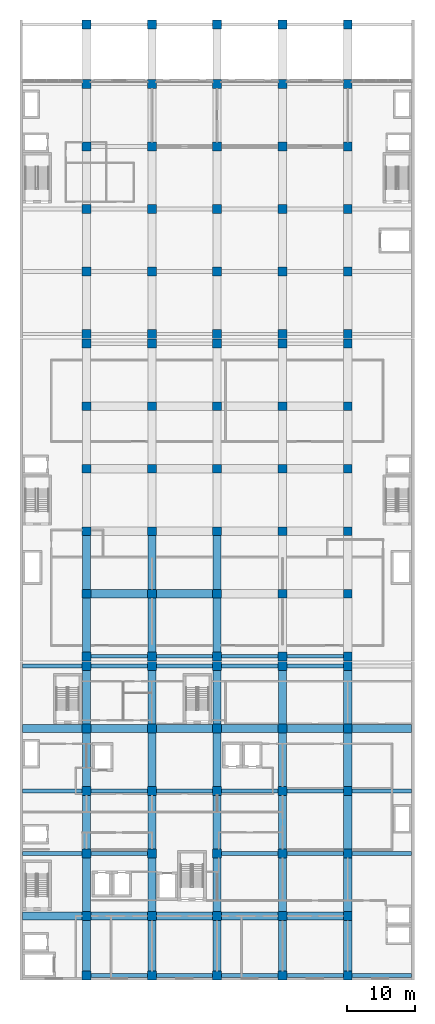
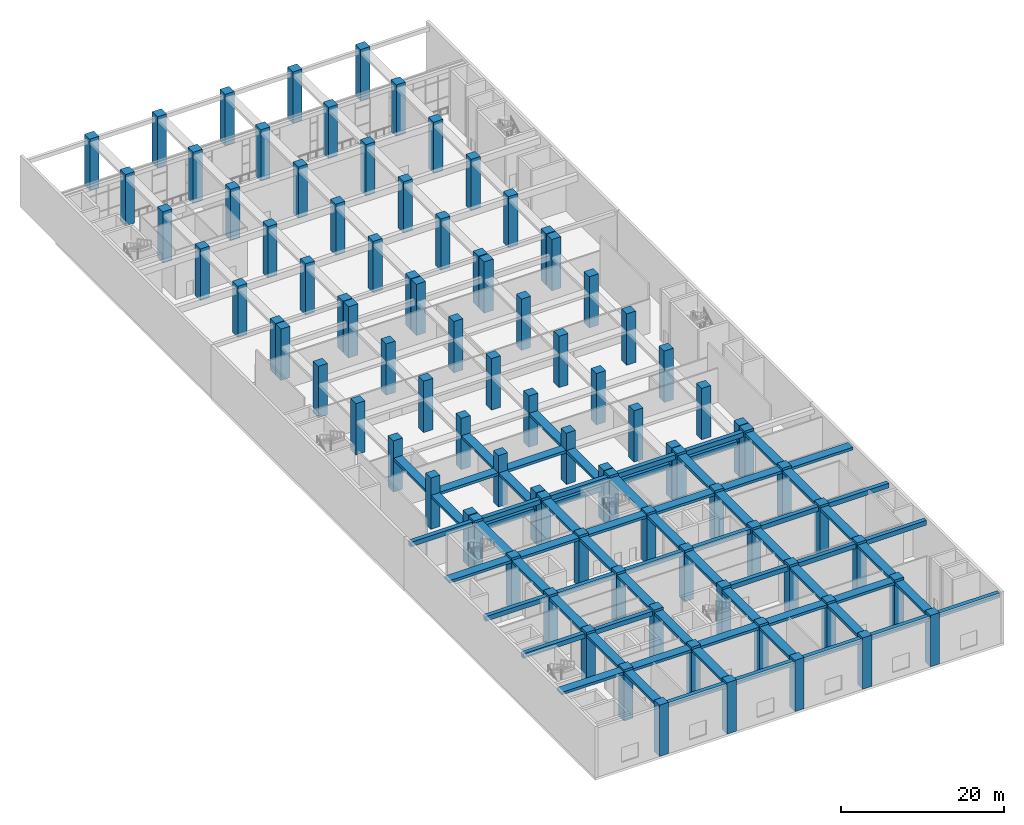
# One storey, part 1 of 33: 90 columns, 69 beams.
"""IFC4 building model written with IfcOpenShell, lengths in metres."""

from ifc_helpers import new_model, si_unit, direction, frame, origin, origin_2d, place, context, subcontext, project, spatial, rectangle, extrude, material, material_profile, profile_set, type_object, element, save


model = new_model("IFC4")

# Units and contexts
model_context = context("Model", 3, precision=1e-05, world=origin(), true_north=direction((0.0, 1.0)))
body_context = subcontext(model_context, "Body", "Model", "MODEL_VIEW")
ifc_project = project(units=[si_unit("LENGTHUNIT", "METRE"), si_unit("AREAUNIT", "SQUARE_METRE"), si_unit("VOLUMEUNIT", "CUBIC_METRE"), si_unit("PLANEANGLEUNIT", "RADIAN"), si_unit("MASSUNIT", "GRAM", prefix="KILO")], contexts=[model_context])

# Site, building, storey
site_placement = place(None, origin())
site = spatial("IfcSite", under=ifc_project, at=site_placement, CompositionType="ELEMENT")
building_placement = place(site_placement, origin())
building = spatial("IfcBuilding", under=site, at=building_placement, Name="Nzadi Deep Aquarium and Research Tower", CompositionType="ELEMENT")
storey_placement = place(building_placement, frame((0.0, 0.0, 6.5)))
storey = spatial("IfcBuildingStorey", under=building, at=storey_placement, Name="L01", CompositionType="ELEMENT", Elevation=6.5)

# Columns
ifc_material_1 = material(Name="Concrete C40/50", Category="concrete")
ifc_material_profile_1 = material_profile(ifc_material_1, rectangle(XDim=1.300048828125, YDim=1.300048828125, at=origin_2d()))
ifc_profile_set_1 = profile_set([ifc_material_profile_1], Name="Concrete C40/50")
column_type = type_object("IfcColumnType", Name="RC 1300x1300", PredefinedType="COLUMN", material=ifc_profile_set_1)
for number, where, z_axis, x_axis, name in (
    (1, (9.60009765625, 0.449951171875, 0.0), (0.0, 0.0, 1.0), (1.0, 0.0, 0.0), "C-Z1-L01-B1"),
    (2, (19.199951171875, 0.449951171875, 0.0), (0.0, 0.0, 1.0), (1.0, 0.0, 0.0), "C-Z1-L01-C1"),
    (3, (28.800048828125, 0.449951171875, 0.0), (0.0, 0.0, 1.0), (1.0, 0.0, 0.0), "C-Z1-L01-D1"),
    (4, (38.39990234375, 0.449951171875, 0.0), (0.0, 0.0, 1.0), (1.0, 0.0, 0.0), "C-Z1-L01-E1"),
    (5, (48.0, 0.449951171875, 0.0), (0.0, 0.0, 1.0), (1.0, 0.0, 0.0), "C-Z1-L01-F1"),
    (6, (9.60009765625, 9.199951171875, 0.0), (0.0, 0.0, 1.0), (1.0, 0.0, 0.0), "C-Z1-L01-B2"),
    (7, (19.199951171875, 9.199951171875, 0.0), (0.0, 0.0, 1.0), (1.0, 0.0, 0.0), "C-Z1-L01-C2"),
    (8, (28.800048828125, 9.199951171875, 0.0), (0.0, 0.0, 1.0), (1.0, 0.0, 0.0), "C-Z1-L01-D2"),
    (9, (38.39990234375, 9.199951171875, 0.0), (0.0, 0.0, 1.0), (1.0, 0.0, 0.0), "C-Z1-L01-E2"),
    (10, (48.0, 9.199951171875, 0.0), (0.0, 0.0, 1.0), (1.0, 0.0, 0.0), "C-Z1-L01-F2"),
    (11, (9.60009765625, 18.39990234375, 0.0), (0.0, 0.0, 1.0), (1.0, 0.0, 0.0), "C-Z1-L01-B3"),
    (12, (19.199951171875, 18.39990234375, 0.0), (0.0, 0.0, 1.0), (1.0, 0.0, 0.0), "C-Z1-L01-C3"),
    (13, (28.800048828125, 18.39990234375, 0.0), (0.0, 0.0, 1.0), (1.0, 0.0, 0.0), "C-Z1-L01-D3"),
    (14, (38.39990234375, 18.39990234375, 0.0), (0.0, 0.0, 1.0), (1.0, 0.0, 0.0), "C-Z1-L01-E3"),
    (15, (48.0, 18.39990234375, 0.0), (0.0, 0.0, 1.0), (1.0, 0.0, 0.0), "C-Z1-L01-F3"),
    (16, (9.60009765625, 27.60009765625, 0.0), (0.0, 0.0, 1.0), (1.0, 0.0, 0.0), "C-Z1-L01-B4"),
    (17, (19.199951171875, 27.60009765625, 0.0), (0.0, 0.0, 1.0), (1.0, 0.0, 0.0), "C-Z1-L01-C4"),
    (18, (28.800048828125, 27.60009765625, 0.0), (0.0, 0.0, 1.0), (1.0, 0.0, 0.0), "C-Z1-L01-D4"),
    (19, (38.39990234375, 27.60009765625, 0.0), (0.0, 0.0, 1.0), (1.0, 0.0, 0.0), "C-Z1-L01-E4"),
    (20, (48.0, 27.60009765625, 0.0), (0.0, 0.0, 1.0), (1.0, 0.0, 0.0), "C-Z1-L01-F4"),
    (21, (9.60009765625, 36.800048828125, 0.0), (0.0, 0.0, 1.0), (1.0, 0.0, 0.0), "C-Z1-L01-B5"),
    (22, (19.199951171875, 36.800048828125, 0.0), (0.0, 0.0, 1.0), (1.0, 0.0, 0.0), "C-Z1-L01-C5"),
    (23, (28.800048828125, 36.800048828125, 0.0), (0.0, 0.0, 1.0), (1.0, 0.0, 0.0), "C-Z1-L01-D5"),
    (24, (38.39990234375, 36.800048828125, 0.0), (0.0, 0.0, 1.0), (1.0, 0.0, 0.0), "C-Z1-L01-E5"),
    (25, (48.0, 36.800048828125, 0.0), (0.0, 0.0, 1.0), (1.0, 0.0, 0.0), "C-Z1-L01-F5"),
    (26, (9.60009765625, 46.0, 0.0), (0.0, 0.0, 1.0), (1.0, 0.0, 0.0), "C-Z1-L01-B6"),
    (27, (19.199951171875, 46.0, 0.0), (0.0, 0.0, 1.0), (1.0, 0.0, 0.0), "C-Z1-L01-C6"),
    (28, (28.800048828125, 46.0, 0.0), (0.0, 0.0, 1.0), (1.0, 0.0, 0.0), "C-Z1-L01-D6"),
    (29, (38.39990234375, 46.0, 0.0), (0.0, 0.0, 1.0), (1.0, 0.0, 0.0), "C-Z1-L01-E6"),
    (30, (48.0, 46.0, 0.0), (0.0, 0.0, 1.0), (1.0, 0.0, 0.0), "C-Z1-L01-F6"),
    (31, (9.60009765625, 47.39990234375, 0.0), (0.0, 0.0, 1.0), (1.0, 0.0, 0.0), "C-Z2-L01-B7"),
    (32, (19.199951171875, 47.39990234375, 0.0), (0.0, 0.0, 1.0), (1.0, 0.0, 0.0), "C-Z2-L01-C7"),
    (33, (28.800048828125, 47.39990234375, 0.0), (0.0, 0.0, 1.0), (1.0, 0.0, 0.0), "C-Z2-L01-D7"),
    (34, (38.39990234375, 47.39990234375, 0.0), (0.0, 0.0, 1.0), (1.0, 0.0, 0.0), "C-Z2-L01-E7"),
    (35, (48.0, 47.39990234375, 0.0), (0.0, 0.0, 1.0), (1.0, 0.0, 0.0), "C-Z2-L01-F7"),
    (36, (9.60009765625, 56.60009765625, 0.0), (0.0, 0.0, 1.0), (1.0, 0.0, 0.0), "C-Z2-L01-B8"),
    (37, (19.199951171875, 56.60009765625, 0.0), (0.0, 0.0, 1.0), (1.0, 0.0, 0.0), "C-Z2-L01-C8"),
    (38, (28.800048828125, 56.60009765625, 0.0), (0.0, 0.0, 1.0), (1.0, 0.0, 0.0), "C-Z2-L01-D8"),
    (39, (38.39990234375, 56.60009765625, 0.0), (0.0, 0.0, 1.0), (1.0, 0.0, 0.0), "C-Z2-L01-E8"),
    (40, (48.0, 56.60009765625, 0.0), (0.0, 0.0, 1.0), (1.0, 0.0, 0.0), "C-Z2-L01-F8"),
    (41, (9.60009765625, 65.800048828125, 0.0), (0.0, 0.0, 1.0), (1.0, 0.0, 0.0), "C-Z2-L01-B9"),
    (42, (19.199951171875, 65.800048828125, 0.0), (0.0, 0.0, 1.0), (1.0, 0.0, 0.0), "C-Z2-L01-C9"),
    (43, (28.800048828125, 65.800048828125, 0.0), (0.0, 0.0, 1.0), (1.0, 0.0, 0.0), "C-Z2-L01-D9"),
    (44, (38.39990234375, 65.800048828125, 0.0), (0.0, 0.0, 1.0), (1.0, 0.0, 0.0), "C-Z2-L01-E9"),
    (45, (48.0, 65.800048828125, 0.0), (0.0, 0.0, 1.0), (1.0, 0.0, 0.0), "C-Z2-L01-F9"),
    (46, (9.60009765625, 75.0, 0.0), (0.0, 0.0, 1.0), (1.0, 0.0, 0.0), "C-Z2-L01-B10"),
    (47, (19.199951171875, 75.0, 0.0), (0.0, 0.0, 1.0), (1.0, 0.0, 0.0), "C-Z2-L01-C10"),
    (48, (28.800048828125, 75.0, 0.0), (0.0, 0.0, 1.0), (1.0, 0.0, 0.0), "C-Z2-L01-D10"),
    (49, (38.39990234375, 75.0, 0.0), (0.0, 0.0, 1.0), (1.0, 0.0, 0.0), "C-Z2-L01-E10"),
    (50, (48.0, 75.0, 0.0), (0.0, 0.0, 1.0), (1.0, 0.0, 0.0), "C-Z2-L01-F10"),
    (51, (9.60009765625, 84.199951171875, 0.0), (0.0, 0.0, 1.0), (1.0, 0.0, 0.0), "C-Z2-L01-B11"),
    (52, (19.199951171875, 84.199951171875, 0.0), (0.0, 0.0, 1.0), (1.0, 0.0, 0.0), "C-Z2-L01-C11"),
    (53, (28.800048828125, 84.199951171875, 0.0), (0.0, 0.0, 1.0), (1.0, 0.0, 0.0), "C-Z2-L01-D11"),
    (54, (38.39990234375, 84.199951171875, 0.0), (0.0, 0.0, 1.0), (1.0, 0.0, 0.0), "C-Z2-L01-E11"),
    (55, (48.0, 84.199951171875, 0.0), (0.0, 0.0, 1.0), (1.0, 0.0, 0.0), "C-Z2-L01-F11"),
    (56, (9.60009765625, 93.39990234375, 0.0), (0.0, 0.0, 1.0), (1.0, 0.0, 0.0), "C-Z2-L01-B12"),
    (57, (19.199951171875, 93.39990234375, 0.0), (0.0, 0.0, 1.0), (1.0, 0.0, 0.0), "C-Z2-L01-C12"),
    (58, (28.800048828125, 93.39990234375, 0.0), (0.0, 0.0, 1.0), (1.0, 0.0, 0.0), "C-Z2-L01-D12"),
    (59, (38.39990234375, 93.39990234375, 0.0), (0.0, 0.0, 1.0), (1.0, 0.0, 0.0), "C-Z2-L01-E12"),
    (60, (48.0, 93.39990234375, 0.0), (0.0, 0.0, 1.0), (1.0, 0.0, 0.0), "C-Z2-L01-F12"),
    (61, (9.60009765625, 94.800048828125, 0.0), (0.0, 0.0, 1.0), (1.0, 0.0, 0.0), "C-Z3-L01-B13"),
    (62, (19.199951171875, 94.800048828125, 0.0), (0.0, 0.0, 1.0), (1.0, 0.0, 0.0), "C-Z3-L01-C13"),
    (63, (28.800048828125, 94.800048828125, 0.0), (0.0, 0.0, 1.0), (1.0, 0.0, 0.0), "C-Z3-L01-D13"),
    (64, (38.39990234375, 94.800048828125, 0.0), (0.0, 0.0, 1.0), (1.0, 0.0, 0.0), "C-Z3-L01-E13"),
    (65, (48.0, 94.800048828125, 0.0), (0.0, 0.0, 1.0), (1.0, 0.0, 0.0), "C-Z3-L01-F13"),
    (66, (9.60009765625, 104.0, 0.0), (0.0, 0.0, 1.0), (1.0, 0.0, 0.0), "C-Z3-L01-B14"),
    (67, (19.199951171875, 104.0, 0.0), (0.0, 0.0, 1.0), (1.0, 0.0, 0.0), "C-Z3-L01-C14"),
    (68, (28.800048828125, 104.0, 0.0), (0.0, 0.0, 1.0), (1.0, 0.0, 0.0), "C-Z3-L01-D14"),
    (69, (38.39990234375, 104.0, 0.0), (0.0, 0.0, 1.0), (1.0, 0.0, 0.0), "C-Z3-L01-E14"),
    (70, (48.0, 104.0, 0.0), (0.0, 0.0, 1.0), (1.0, 0.0, 0.0), "C-Z3-L01-F14"),
    (71, (9.60009765625, 113.199951171875, 0.0), (0.0, 0.0, 1.0), (1.0, 0.0, 0.0), "C-Z3-L01-B15"),
    (72, (19.199951171875, 113.199951171875, 0.0), (0.0, 0.0, 1.0), (1.0, 0.0, 0.0), "C-Z3-L01-C15"),
    (73, (28.800048828125, 113.199951171875, 0.0), (0.0, 0.0, 1.0), (1.0, 0.0, 0.0), "C-Z3-L01-D15"),
    (74, (38.39990234375, 113.199951171875, 0.0), (0.0, 0.0, 1.0), (1.0, 0.0, 0.0), "C-Z3-L01-E15"),
    (75, (48.0, 113.199951171875, 0.0), (0.0, 0.0, 1.0), (1.0, 0.0, 0.0), "C-Z3-L01-F15"),
    (76, (9.60009765625, 122.39990234375, 0.0), (0.0, 0.0, 1.0), (1.0, 0.0, 0.0), "C-Z3-L01-B16"),
    (77, (19.199951171875, 122.39990234375, 0.0), (0.0, 0.0, 1.0), (1.0, 0.0, 0.0), "C-Z3-L01-C16"),
    (78, (28.800048828125, 122.39990234375, 0.0), (0.0, 0.0, 1.0), (1.0, 0.0, 0.0), "C-Z3-L01-D16"),
    (79, (38.39990234375, 122.39990234375, 0.0), (0.0, 0.0, 1.0), (1.0, 0.0, 0.0), "C-Z3-L01-E16"),
    (80, (48.0, 122.39990234375, 0.0), (0.0, 0.0, 1.0), (1.0, 0.0, 0.0), "C-Z3-L01-F16"),
    (81, (9.60009765625, 131.60009765625, 0.0), (0.0, 0.0, 1.0), (1.0, 0.0, 0.0), "C-Z3-L01-B17"),
    (82, (19.199951171875, 131.60009765625, 0.0), (0.0, 0.0, 1.0), (1.0, 0.0, 0.0), "C-Z3-L01-C17"),
    (83, (28.800048828125, 131.60009765625, 0.0), (0.0, 0.0, 1.0), (1.0, 0.0, 0.0), "C-Z3-L01-D17"),
    (84, (38.39990234375, 131.60009765625, 0.0), (0.0, 0.0, 1.0), (1.0, 0.0, 0.0), "C-Z3-L01-E17"),
    (85, (48.0, 131.60009765625, 0.0), (0.0, 0.0, 1.0), (1.0, 0.0, 0.0), "C-Z3-L01-F17"),
    (86, (9.60009765625, 140.35009765625, 0.0), (0.0, 0.0, 1.0), (1.0, 0.0, 0.0), "C-Z3-L01-B18"),
    (87, (19.199951171875, 140.35009765625, 0.0), (0.0, 0.0, 1.0), (1.0, 0.0, 0.0), "C-Z3-L01-C18"),
    (88, (28.800048828125, 140.35009765625, 0.0), (0.0, 0.0, 1.0), (1.0, 0.0, 0.0), "C-Z3-L01-D18"),
    (89, (38.39990234375, 140.35009765625, 0.0), (0.0, 0.0, 1.0), (1.0, 0.0, 0.0), "C-Z3-L01-E18"),
    (90, (48.0, 140.35009765625, 0.0), (0.0, 0.0, 1.0), (1.0, 0.0, 0.0), "C-Z3-L01-F18"),
):
    element("IfcColumn", number, at=place(storey_placement, frame(where, z_axis=z_axis, x_axis=x_axis)), inside=storey, type_object=column_type, Name=name, PredefinedType="COLUMN", context=body_context, shape_type="SweptSolid", body=[
        extrude(rectangle(XDim=1.300048828125, YDim=1.300048828125, at=origin_2d()), origin(), (0.0, 0.0, 1.0), 7.699951171875),
    ])

# Beams
ifc_material_2 = material(Name="Concrete C35/45", Category="concrete")
ifc_material_profile_2 = material_profile(ifc_material_2, rectangle(XDim=1.199951171875, YDim=0.39990234375, at=origin_2d()))
ifc_profile_set_2 = profile_set([ifc_material_profile_2], Name="Concrete C35/45")
beam_type_1 = type_object("IfcBeamType", Name="RC 1200x400", PredefinedType="BEAM", material=ifc_profile_set_2)
beam_1_placement = place(storey_placement, frame((0.199951171875, 9.199951171875, 7.14990234375), z_axis=(1.0, 0.0, 0.0), x_axis=(0.0, 1.0, 0.0)))
element("IfcBeam", 91, at=beam_1_placement, inside=storey, type_object=beam_type_1, Name="B-Z1-L01-L2-1", PredefinedType="BEAM", context=body_context, shape_type="SweptSolid", body=[
    extrude(rectangle(XDim=1.199951171875, YDim=0.39990234375, at=origin_2d()), origin(), (0.0, 0.0, 1.0), 8.75),
])
beam_2_placement = place(storey_placement, frame((10.25, 9.199951171875, 7.14990234375), z_axis=(1.0, 0.0, 0.0), x_axis=(0.0, 1.0, 0.0)))
element("IfcBeam", 92, at=beam_2_placement, inside=storey, type_object=beam_type_1, Name="B-Z1-L01-L2-2", PredefinedType="BEAM", context=body_context, shape_type="SweptSolid", body=[
    extrude(rectangle(XDim=1.199951171875, YDim=0.39990234375, at=origin_2d()), origin(), (0.0, 0.0, 1.0), 8.300048828125),
])
beam_3_placement = place(storey_placement, frame((19.85009765625, 9.199951171875, 7.14990234375), z_axis=(1.0, 0.0, 0.0), x_axis=(0.0, 1.0, 0.0)))
element("IfcBeam", 93, at=beam_3_placement, inside=storey, type_object=beam_type_1, Name="B-Z1-L01-L2-3", PredefinedType="BEAM", context=body_context, shape_type="SweptSolid", body=[
    extrude(rectangle(XDim=1.199951171875, YDim=0.39990234375, at=origin_2d()), origin(), (0.0, 0.0, 1.0), 8.2998046875),
])
for number, where, z_axis, x_axis, name in (
    (94, (29.449951171875, 9.199951171875, 7.14990234375), (1.0, 0.0, 0.0), (0.0, 1.0, 0.0), "B-Z1-L01-L2-4"),
    (95, (39.050048828125, 9.199951171875, 7.14990234375), (1.0, 0.0, 0.0), (0.0, 1.0, 0.0), "B-Z1-L01-L2-5"),
):
    element("IfcBeam", number, at=place(storey_placement, frame(where, z_axis=z_axis, x_axis=x_axis)), inside=storey, type_object=beam_type_1, Name=name, PredefinedType="BEAM", context=body_context, shape_type="SweptSolid", body=[
        extrude(rectangle(XDim=1.199951171875, YDim=0.39990234375, at=origin_2d()), origin(), (0.0, 0.0, 1.0), 8.300048828125),
    ])
beam_4_placement = place(storey_placement, frame((0.199951171875, 36.800048828125, 7.14990234375), z_axis=(1.0, 0.0, 0.0), x_axis=(0.0, 1.0, 0.0)))
element("IfcBeam", 96, at=beam_4_placement, inside=storey, type_object=beam_type_1, Name="B-Z1-L01-L5-1", PredefinedType="BEAM", context=body_context, shape_type="SweptSolid", body=[
    extrude(rectangle(XDim=1.199951171875, YDim=0.39990234375, at=origin_2d()), origin(), (0.0, 0.0, 1.0), 8.75),
])
beam_5_placement = place(storey_placement, frame((10.25, 36.800048828125, 7.14990234375), z_axis=(1.0, 0.0, 0.0), x_axis=(0.0, 1.0, 0.0)))
element("IfcBeam", 97, at=beam_5_placement, inside=storey, type_object=beam_type_1, Name="B-Z1-L01-L5-2", PredefinedType="BEAM", context=body_context, shape_type="SweptSolid", body=[
    extrude(rectangle(XDim=1.199951171875, YDim=0.39990234375, at=origin_2d()), origin(), (0.0, 0.0, 1.0), 8.300048828125),
])
beam_6_placement = place(storey_placement, frame((19.85009765625, 36.800048828125, 7.14990234375), z_axis=(1.0, 0.0, 0.0), x_axis=(0.0, 1.0, 0.0)))
element("IfcBeam", 98, at=beam_6_placement, inside=storey, type_object=beam_type_1, Name="B-Z1-L01-L5-3", PredefinedType="BEAM", context=body_context, shape_type="SweptSolid", body=[
    extrude(rectangle(XDim=1.199951171875, YDim=0.39990234375, at=origin_2d()), origin(), (0.0, 0.0, 1.0), 8.2998046875),
])
for number, where, z_axis, x_axis, name in (
    (99, (29.449951171875, 36.800048828125, 7.14990234375), (1.0, 0.0, 0.0), (0.0, 1.0, 0.0), "B-Z1-L01-L5-4"),
    (100, (39.050048828125, 36.800048828125, 7.14990234375), (1.0, 0.0, 0.0), (0.0, 1.0, 0.0), "B-Z1-L01-L5-5"),
):
    element("IfcBeam", number, at=place(storey_placement, frame(where, z_axis=z_axis, x_axis=x_axis)), inside=storey, type_object=beam_type_1, Name=name, PredefinedType="BEAM", context=body_context, shape_type="SweptSolid", body=[
        extrude(rectangle(XDim=1.199951171875, YDim=0.39990234375, at=origin_2d()), origin(), (0.0, 0.0, 1.0), 8.300048828125),
    ])
beam_7_placement = place(storey_placement, frame((48.64990234375, 36.800048828125, 7.14990234375), z_axis=(1.0, 0.0, 0.0), x_axis=(0.0, 1.0, 0.0)))
element("IfcBeam", 101, at=beam_7_placement, inside=storey, type_object=beam_type_1, Name="B-Z1-L01-L5-6", PredefinedType="BEAM", context=body_context, shape_type="SweptSolid", body=[
    extrude(rectangle(XDim=1.199951171875, YDim=0.39990234375, at=origin_2d()), origin(), (0.0, 0.0, 1.0), 8.75),
])
beam_8_placement = place(storey_placement, frame((10.25, 56.60009765625, 4.89990234375), z_axis=(1.0, 0.0, 0.0), x_axis=(0.0, 1.0, 0.0)))
element("IfcBeam", 102, at=beam_8_placement, inside=storey, type_object=beam_type_1, Name="B-Z2-L01-L8-2", PredefinedType="BEAM", context=body_context, shape_type="SweptSolid", body=[
    extrude(rectangle(XDim=1.199951171875, YDim=0.39990234375, at=origin_2d()), origin(), (0.0, 0.0, 1.0), 8.300048828125),
])
beam_9_placement = place(storey_placement, frame((19.85009765625, 56.60009765625, 4.89990234375), z_axis=(1.0, 0.0, 0.0), x_axis=(0.0, 1.0, 0.0)))
element("IfcBeam", 103, at=beam_9_placement, inside=storey, type_object=beam_type_1, Name="B-Z2-L01-L8-3", PredefinedType="BEAM", context=body_context, shape_type="SweptSolid", body=[
    extrude(rectangle(XDim=1.199951171875, YDim=0.39990234375, at=origin_2d()), origin(), (0.0, 0.0, 1.0), 8.2998046875),
])
beam_10_placement = place(storey_placement, frame((9.60009765625, 1.10009765625, 7.14990234375), z_axis=(0.0, 1.0, 0.0), x_axis=(-1.0, 0.0, 0.0)))
element("IfcBeam", 104, at=beam_10_placement, inside=storey, type_object=beam_type_1, Name="B-Z1-L01-CB-1-1", PredefinedType="BEAM", context=body_context, shape_type="SweptSolid", body=[
    extrude(rectangle(XDim=1.199951171875, YDim=0.39990234375, at=origin_2d()), origin(), (0.0, 0.0, 1.0), 7.449951171875),
])
for number, where, z_axis, x_axis, name in (
    (105, (9.60009765625, 9.85009765625, 7.14990234375), (0.0, 1.0, 0.0), (-1.0, 0.0, 0.0), "B-Z1-L01-CB-2-1"),
    (106, (9.60009765625, 19.050048828125, 7.14990234375), (0.0, 1.0, 0.0), (-1.0, 0.0, 0.0), "B-Z1-L01-CB-3-1"),
    (107, (9.60009765625, 28.25, 7.14990234375), (0.0, 1.0, 0.0), (-1.0, 0.0, 0.0), "B-Z1-L01-CB-4-1"),
):
    element("IfcBeam", number, at=place(storey_placement, frame(where, z_axis=z_axis, x_axis=x_axis)), inside=storey, type_object=beam_type_1, Name=name, PredefinedType="BEAM", context=body_context, shape_type="SweptSolid", body=[
        extrude(rectangle(XDim=1.199951171875, YDim=0.39990234375, at=origin_2d()), origin(), (0.0, 0.0, 1.0), 7.89990234375),
    ])
beam_11_placement = place(storey_placement, frame((9.60009765625, 37.449951171875, 7.14990234375), z_axis=(0.0, 1.0, 0.0), x_axis=(-1.0, 0.0, 0.0)))
element("IfcBeam", 108, at=beam_11_placement, inside=storey, type_object=beam_type_1, Name="B-Z1-L01-CB-5-1", PredefinedType="BEAM", context=body_context, shape_type="SweptSolid", body=[
    extrude(rectangle(XDim=1.199951171875, YDim=0.39990234375, at=origin_2d()), origin(), (0.0, 0.0, 1.0), 7.900146484375),
])
beam_12_placement = place(storey_placement, frame((19.199951171875, 1.10009765625, 7.14990234375), z_axis=(0.0, 1.0, 0.0), x_axis=(-1.0, 0.0, 0.0)))
element("IfcBeam", 109, at=beam_12_placement, inside=storey, type_object=beam_type_1, Name="B-Z1-L01-CC-1-1", PredefinedType="BEAM", context=body_context, shape_type="SweptSolid", body=[
    extrude(rectangle(XDim=1.199951171875, YDim=0.39990234375, at=origin_2d()), origin(), (0.0, 0.0, 1.0), 7.449951171875),
])
for number, where, z_axis, x_axis, name in (
    (110, (19.199951171875, 9.85009765625, 7.14990234375), (0.0, 1.0, 0.0), (-1.0, 0.0, 0.0), "B-Z1-L01-CC-2-1"),
    (111, (19.199951171875, 19.050048828125, 7.14990234375), (0.0, 1.0, 0.0), (-1.0, 0.0, 0.0), "B-Z1-L01-CC-3-1"),
    (112, (19.199951171875, 28.25, 7.14990234375), (0.0, 1.0, 0.0), (-1.0, 0.0, 0.0), "B-Z1-L01-CC-4-1"),
):
    element("IfcBeam", number, at=place(storey_placement, frame(where, z_axis=z_axis, x_axis=x_axis)), inside=storey, type_object=beam_type_1, Name=name, PredefinedType="BEAM", context=body_context, shape_type="SweptSolid", body=[
        extrude(rectangle(XDim=1.199951171875, YDim=0.39990234375, at=origin_2d()), origin(), (0.0, 0.0, 1.0), 7.89990234375),
    ])
beam_13_placement = place(storey_placement, frame((19.199951171875, 37.449951171875, 7.14990234375), z_axis=(0.0, 1.0, 0.0), x_axis=(-1.0, 0.0, 0.0)))
element("IfcBeam", 113, at=beam_13_placement, inside=storey, type_object=beam_type_1, Name="B-Z1-L01-CC-5-1", PredefinedType="BEAM", context=body_context, shape_type="SweptSolid", body=[
    extrude(rectangle(XDim=1.199951171875, YDim=0.39990234375, at=origin_2d()), origin(), (0.0, 0.0, 1.0), 7.900146484375),
])
beam_14_placement = place(storey_placement, frame((28.800048828125, 1.10009765625, 7.14990234375), z_axis=(0.0, 1.0, 0.0), x_axis=(-1.0, 0.0, 0.0)))
element("IfcBeam", 114, at=beam_14_placement, inside=storey, type_object=beam_type_1, Name="B-Z1-L01-CD-1-1", PredefinedType="BEAM", context=body_context, shape_type="SweptSolid", body=[
    extrude(rectangle(XDim=1.199951171875, YDim=0.39990234375, at=origin_2d()), origin(), (0.0, 0.0, 1.0), 7.449951171875),
])
for number, where, z_axis, x_axis, name in (
    (115, (28.800048828125, 9.85009765625, 7.14990234375), (0.0, 1.0, 0.0), (-1.0, 0.0, 0.0), "B-Z1-L01-CD-2-1"),
    (116, (28.800048828125, 19.050048828125, 7.14990234375), (0.0, 1.0, 0.0), (-1.0, 0.0, 0.0), "B-Z1-L01-CD-3-1"),
    (117, (28.800048828125, 28.25, 7.14990234375), (0.0, 1.0, 0.0), (-1.0, 0.0, 0.0), "B-Z1-L01-CD-4-1"),
):
    element("IfcBeam", number, at=place(storey_placement, frame(where, z_axis=z_axis, x_axis=x_axis)), inside=storey, type_object=beam_type_1, Name=name, PredefinedType="BEAM", context=body_context, shape_type="SweptSolid", body=[
        extrude(rectangle(XDim=1.199951171875, YDim=0.39990234375, at=origin_2d()), origin(), (0.0, 0.0, 1.0), 7.89990234375),
    ])
beam_15_placement = place(storey_placement, frame((28.800048828125, 37.449951171875, 7.14990234375), z_axis=(0.0, 1.0, 0.0), x_axis=(-1.0, 0.0, 0.0)))
element("IfcBeam", 118, at=beam_15_placement, inside=storey, type_object=beam_type_1, Name="B-Z1-L01-CD-5-1", PredefinedType="BEAM", context=body_context, shape_type="SweptSolid", body=[
    extrude(rectangle(XDim=1.199951171875, YDim=0.39990234375, at=origin_2d()), origin(), (0.0, 0.0, 1.0), 7.900146484375),
])
beam_16_placement = place(storey_placement, frame((38.39990234375, 1.10009765625, 7.14990234375), z_axis=(0.0, 1.0, 0.0), x_axis=(-1.0, 0.0, 0.0)))
element("IfcBeam", 119, at=beam_16_placement, inside=storey, type_object=beam_type_1, Name="B-Z1-L01-CE-1-1", PredefinedType="BEAM", context=body_context, shape_type="SweptSolid", body=[
    extrude(rectangle(XDim=1.199951171875, YDim=0.39990234375, at=origin_2d()), origin(), (0.0, 0.0, 1.0), 7.449951171875),
])
for number, where, z_axis, x_axis, name in (
    (120, (38.39990234375, 9.85009765625, 7.14990234375), (0.0, 1.0, 0.0), (-1.0, 0.0, 0.0), "B-Z1-L01-CE-2-1"),
    (121, (38.39990234375, 19.050048828125, 7.14990234375), (0.0, 1.0, 0.0), (-1.0, 0.0, 0.0), "B-Z1-L01-CE-3-1"),
    (122, (38.39990234375, 28.25, 7.14990234375), (0.0, 1.0, 0.0), (-1.0, 0.0, 0.0), "B-Z1-L01-CE-4-1"),
):
    element("IfcBeam", number, at=place(storey_placement, frame(where, z_axis=z_axis, x_axis=x_axis)), inside=storey, type_object=beam_type_1, Name=name, PredefinedType="BEAM", context=body_context, shape_type="SweptSolid", body=[
        extrude(rectangle(XDim=1.199951171875, YDim=0.39990234375, at=origin_2d()), origin(), (0.0, 0.0, 1.0), 7.89990234375),
    ])
beam_17_placement = place(storey_placement, frame((38.39990234375, 37.449951171875, 7.14990234375), z_axis=(0.0, 1.0, 0.0), x_axis=(-1.0, 0.0, 0.0)))
element("IfcBeam", 123, at=beam_17_placement, inside=storey, type_object=beam_type_1, Name="B-Z1-L01-CE-5-1", PredefinedType="BEAM", context=body_context, shape_type="SweptSolid", body=[
    extrude(rectangle(XDim=1.199951171875, YDim=0.39990234375, at=origin_2d()), origin(), (0.0, 0.0, 1.0), 7.900146484375),
])
beam_18_placement = place(storey_placement, frame((48.0, 1.10009765625, 7.14990234375), z_axis=(0.0, 1.0, 0.0), x_axis=(-1.0, 0.0, 0.0)))
element("IfcBeam", 124, at=beam_18_placement, inside=storey, type_object=beam_type_1, Name="B-Z1-L01-CF-1-1", PredefinedType="BEAM", context=body_context, shape_type="SweptSolid", body=[
    extrude(rectangle(XDim=1.199951171875, YDim=0.39990234375, at=origin_2d()), origin(), (0.0, 0.0, 1.0), 7.449951171875),
])
for number, where, z_axis, x_axis, name in (
    (125, (48.0, 9.85009765625, 7.14990234375), (0.0, 1.0, 0.0), (-1.0, 0.0, 0.0), "B-Z1-L01-CF-2-1"),
    (126, (48.0, 19.050048828125, 7.14990234375), (0.0, 1.0, 0.0), (-1.0, 0.0, 0.0), "B-Z1-L01-CF-3-1"),
    (127, (48.0, 28.25, 7.14990234375), (0.0, 1.0, 0.0), (-1.0, 0.0, 0.0), "B-Z1-L01-CF-4-1"),
):
    element("IfcBeam", number, at=place(storey_placement, frame(where, z_axis=z_axis, x_axis=x_axis)), inside=storey, type_object=beam_type_1, Name=name, PredefinedType="BEAM", context=body_context, shape_type="SweptSolid", body=[
        extrude(rectangle(XDim=1.199951171875, YDim=0.39990234375, at=origin_2d()), origin(), (0.0, 0.0, 1.0), 7.89990234375),
    ])
beam_19_placement = place(storey_placement, frame((48.0, 37.449951171875, 7.14990234375), z_axis=(0.0, 1.0, 0.0), x_axis=(-1.0, 0.0, 0.0)))
element("IfcBeam", 128, at=beam_19_placement, inside=storey, type_object=beam_type_1, Name="B-Z1-L01-CF-5-1", PredefinedType="BEAM", context=body_context, shape_type="SweptSolid", body=[
    extrude(rectangle(XDim=1.199951171875, YDim=0.39990234375, at=origin_2d()), origin(), (0.0, 0.0, 1.0), 7.900146484375),
])
for number, where, z_axis, x_axis, name in (
    (129, (9.60009765625, 48.050048828125, 4.89990234375), (0.0, 1.0, 0.0), (-1.0, 0.0, 0.0), "B-Z2-L01-CB-1-7"),
    (130, (9.60009765625, 57.25, 4.89990234375), (0.0, 1.0, 0.0), (-1.0, 0.0, 0.0), "B-Z2-L01-CB-2-7"),
    (131, (19.199951171875, 48.050048828125, 4.89990234375), (0.0, 1.0, 0.0), (-1.0, 0.0, 0.0), "B-Z2-L01-CC-1-7"),
    (132, (19.199951171875, 57.25, 4.89990234375), (0.0, 1.0, 0.0), (-1.0, 0.0, 0.0), "B-Z2-L01-CC-2-7"),
    (133, (28.800048828125, 48.050048828125, 4.89990234375), (0.0, 1.0, 0.0), (-1.0, 0.0, 0.0), "B-Z2-L01-CD-1-7"),
    (134, (28.800048828125, 57.25, 4.89990234375), (0.0, 1.0, 0.0), (-1.0, 0.0, 0.0), "B-Z2-L01-CD-2-7"),
):
    element("IfcBeam", number, at=place(storey_placement, frame(where, z_axis=z_axis, x_axis=x_axis)), inside=storey, type_object=beam_type_1, Name=name, PredefinedType="BEAM", context=body_context, shape_type="SweptSolid", body=[
        extrude(rectangle(XDim=1.199951171875, YDim=0.39990234375, at=origin_2d()), origin(), (0.0, 0.0, 1.0), 7.89990234375),
    ])
ifc_material_3 = material(Name="Concrete C40/50", Category="concrete")
ifc_material_profile_3 = material_profile(ifc_material_3, rectangle(XDim=0.5, YDim=0.800048828125, at=origin_2d()))
ifc_profile_set_3 = profile_set([ifc_material_profile_3], Name="Concrete C40/50")
beam_type_2 = type_object("IfcBeamType", Name="RC 500x800", PredefinedType="BEAM", material=ifc_profile_set_3)
beam_20_placement = place(storey_placement, frame((10.25, 47.39990234375, 4.699951171875), z_axis=(1.0, 0.0, 0.0), x_axis=(0.0, 1.0, 0.0)))
element("IfcBeam", 135, at=beam_20_placement, inside=storey, type_object=beam_type_2, Name="B-Z2-L01-L7-2", PredefinedType="BEAM", context=body_context, shape_type="SweptSolid", body=[
    extrude(rectangle(XDim=0.5, YDim=0.800048828125, at=origin_2d()), origin(), (0.0, 0.0, 1.0), 8.300048828125),
])
beam_21_placement = place(storey_placement, frame((19.85009765625, 47.39990234375, 4.699951171875), z_axis=(1.0, 0.0, 0.0), x_axis=(0.0, 1.0, 0.0)))
element("IfcBeam", 136, at=beam_21_placement, inside=storey, type_object=beam_type_2, Name="B-Z2-L01-L7-3", PredefinedType="BEAM", context=body_context, shape_type="SweptSolid", body=[
    extrude(rectangle(XDim=0.5, YDim=0.800048828125, at=origin_2d()), origin(), (0.0, 0.0, 1.0), 8.2998046875),
])
for number, where, z_axis, x_axis, name in (
    (137, (29.449951171875, 47.39990234375, 4.699951171875), (1.0, 0.0, 0.0), (0.0, 1.0, 0.0), "B-Z2-L01-L7-4"),
    (138, (39.050048828125, 47.39990234375, 4.699951171875), (1.0, 0.0, 0.0), (0.0, 1.0, 0.0), "B-Z2-L01-L7-5"),
):
    element("IfcBeam", number, at=place(storey_placement, frame(where, z_axis=z_axis, x_axis=x_axis)), inside=storey, type_object=beam_type_2, Name=name, PredefinedType="BEAM", context=body_context, shape_type="SweptSolid", body=[
        extrude(rectangle(XDim=0.5, YDim=0.800048828125, at=origin_2d()), origin(), (0.0, 0.0, 1.0), 8.300048828125),
    ])
ifc_material_4 = material(Name="Concrete C35/45", Category="concrete")
ifc_material_profile_4 = material_profile(ifc_material_4, rectangle(XDim=0.60009765625, YDim=0.699951171875, at=origin_2d()))
ifc_profile_set_4 = profile_set([ifc_material_profile_4], Name="Concrete C35/45")
beam_type_3 = type_object("IfcBeamType", Name="RC 600x700", PredefinedType="BEAM", material=ifc_profile_set_4)
beam_22_placement = place(storey_placement, frame((10.25, 0.449951171875, 7.0), z_axis=(1.0, 0.0, 0.0), x_axis=(0.0, 1.0, 0.0)))
element("IfcBeam", 139, at=beam_22_placement, inside=storey, type_object=beam_type_3, Name="B-Z1-L01-L1-2", PredefinedType="BEAM", context=body_context, shape_type="SweptSolid", body=[
    extrude(rectangle(XDim=0.60009765625, YDim=0.699951171875, at=origin_2d()), origin(), (0.0, 0.0, 1.0), 8.300048828125),
])
beam_23_placement = place(storey_placement, frame((19.85009765625, 0.449951171875, 7.0), z_axis=(1.0, 0.0, 0.0), x_axis=(0.0, 1.0, 0.0)))
element("IfcBeam", 140, at=beam_23_placement, inside=storey, type_object=beam_type_3, Name="B-Z1-L01-L1-3", PredefinedType="BEAM", context=body_context, shape_type="SweptSolid", body=[
    extrude(rectangle(XDim=0.60009765625, YDim=0.699951171875, at=origin_2d()), origin(), (0.0, 0.0, 1.0), 8.2998046875),
])
for number, where, z_axis, x_axis, name in (
    (141, (29.449951171875, 0.449951171875, 7.0), (1.0, 0.0, 0.0), (0.0, 1.0, 0.0), "B-Z1-L01-L1-4"),
    (142, (39.050048828125, 0.449951171875, 7.0), (1.0, 0.0, 0.0), (0.0, 1.0, 0.0), "B-Z1-L01-L1-5"),
):
    element("IfcBeam", number, at=place(storey_placement, frame(where, z_axis=z_axis, x_axis=x_axis)), inside=storey, type_object=beam_type_3, Name=name, PredefinedType="BEAM", context=body_context, shape_type="SweptSolid", body=[
        extrude(rectangle(XDim=0.60009765625, YDim=0.699951171875, at=origin_2d()), origin(), (0.0, 0.0, 1.0), 8.300048828125),
    ])
for number, where, z_axis, x_axis, name in (
    (143, (48.64990234375, 0.449951171875, 7.0), (1.0, 0.0, 0.0), (0.0, 1.0, 0.0), "B-Z1-L01-L1-6"),
    (144, (0.199951171875, 18.39990234375, 7.0), (1.0, 0.0, 0.0), (0.0, 1.0, 0.0), "B-Z1-L01-L3-1"),
):
    element("IfcBeam", number, at=place(storey_placement, frame(where, z_axis=z_axis, x_axis=x_axis)), inside=storey, type_object=beam_type_3, Name=name, PredefinedType="BEAM", context=body_context, shape_type="SweptSolid", body=[
        extrude(rectangle(XDim=0.60009765625, YDim=0.699951171875, at=origin_2d()), origin(), (0.0, 0.0, 1.0), 8.75),
    ])
for number, where, z_axis, x_axis, name in (
    (145, (10.25, 18.39990234375, 7.0), (1.0, 0.0, 0.0), (0.0, 1.0, 0.0), "B-Z1-L01-L3-2"),
    (146, (29.449951171875, 18.39990234375, 7.0), (1.0, 0.0, 0.0), (0.0, 1.0, 0.0), "B-Z1-L01-L3-4"),
    (147, (39.050048828125, 18.39990234375, 7.0), (1.0, 0.0, 0.0), (0.0, 1.0, 0.0), "B-Z1-L01-L3-5"),
):
    element("IfcBeam", number, at=place(storey_placement, frame(where, z_axis=z_axis, x_axis=x_axis)), inside=storey, type_object=beam_type_3, Name=name, PredefinedType="BEAM", context=body_context, shape_type="SweptSolid", body=[
        extrude(rectangle(XDim=0.60009765625, YDim=0.699951171875, at=origin_2d()), origin(), (0.0, 0.0, 1.0), 8.300048828125),
    ])
for number, where, z_axis, x_axis, name in (
    (148, (48.64990234375, 18.39990234375, 7.0), (1.0, 0.0, 0.0), (0.0, 1.0, 0.0), "B-Z1-L01-L3-6"),
    (149, (0.199951171875, 27.60009765625, 7.0), (1.0, 0.0, 0.0), (0.0, 1.0, 0.0), "B-Z1-L01-L4-1"),
):
    element("IfcBeam", number, at=place(storey_placement, frame(where, z_axis=z_axis, x_axis=x_axis)), inside=storey, type_object=beam_type_3, Name=name, PredefinedType="BEAM", context=body_context, shape_type="SweptSolid", body=[
        extrude(rectangle(XDim=0.60009765625, YDim=0.699951171875, at=origin_2d()), origin(), (0.0, 0.0, 1.0), 8.75),
    ])
beam_24_placement = place(storey_placement, frame((10.25, 27.60009765625, 7.0), z_axis=(1.0, 0.0, 0.0), x_axis=(0.0, 1.0, 0.0)))
element("IfcBeam", 150, at=beam_24_placement, inside=storey, type_object=beam_type_3, Name="B-Z1-L01-L4-2", PredefinedType="BEAM", context=body_context, shape_type="SweptSolid", body=[
    extrude(rectangle(XDim=0.60009765625, YDim=0.699951171875, at=origin_2d()), origin(), (0.0, 0.0, 1.0), 8.300048828125),
])
beam_25_placement = place(storey_placement, frame((19.85009765625, 27.60009765625, 7.0), z_axis=(1.0, 0.0, 0.0), x_axis=(0.0, 1.0, 0.0)))
element("IfcBeam", 151, at=beam_25_placement, inside=storey, type_object=beam_type_3, Name="B-Z1-L01-L4-3", PredefinedType="BEAM", context=body_context, shape_type="SweptSolid", body=[
    extrude(rectangle(XDim=0.60009765625, YDim=0.699951171875, at=origin_2d()), origin(), (0.0, 0.0, 1.0), 8.2998046875),
])
for number, where, z_axis, x_axis, name in (
    (152, (29.449951171875, 27.60009765625, 7.0), (1.0, 0.0, 0.0), (0.0, 1.0, 0.0), "B-Z1-L01-L4-4"),
    (153, (39.050048828125, 27.60009765625, 7.0), (1.0, 0.0, 0.0), (0.0, 1.0, 0.0), "B-Z1-L01-L4-5"),
):
    element("IfcBeam", number, at=place(storey_placement, frame(where, z_axis=z_axis, x_axis=x_axis)), inside=storey, type_object=beam_type_3, Name=name, PredefinedType="BEAM", context=body_context, shape_type="SweptSolid", body=[
        extrude(rectangle(XDim=0.60009765625, YDim=0.699951171875, at=origin_2d()), origin(), (0.0, 0.0, 1.0), 8.300048828125),
    ])
for number, where, z_axis, x_axis, name in (
    (154, (48.64990234375, 27.60009765625, 7.0), (1.0, 0.0, 0.0), (0.0, 1.0, 0.0), "B-Z1-L01-L4-6"),
    (155, (0.199951171875, 46.0, 7.0), (1.0, 0.0, 0.0), (0.0, 1.0, 0.0), "B-Z1-L01-L6-1"),
):
    element("IfcBeam", number, at=place(storey_placement, frame(where, z_axis=z_axis, x_axis=x_axis)), inside=storey, type_object=beam_type_3, Name=name, PredefinedType="BEAM", context=body_context, shape_type="SweptSolid", body=[
        extrude(rectangle(XDim=0.60009765625, YDim=0.699951171875, at=origin_2d()), origin(), (0.0, 0.0, 1.0), 8.75),
    ])
beam_26_placement = place(storey_placement, frame((10.25, 46.0, 7.0), z_axis=(1.0, 0.0, 0.0), x_axis=(0.0, 1.0, 0.0)))
element("IfcBeam", 156, at=beam_26_placement, inside=storey, type_object=beam_type_3, Name="B-Z1-L01-L6-2", PredefinedType="BEAM", context=body_context, shape_type="SweptSolid", body=[
    extrude(rectangle(XDim=0.60009765625, YDim=0.699951171875, at=origin_2d()), origin(), (0.0, 0.0, 1.0), 8.300048828125),
])
beam_27_placement = place(storey_placement, frame((19.85009765625, 46.0, 7.0), z_axis=(1.0, 0.0, 0.0), x_axis=(0.0, 1.0, 0.0)))
element("IfcBeam", 157, at=beam_27_placement, inside=storey, type_object=beam_type_3, Name="B-Z1-L01-L6-3", PredefinedType="BEAM", context=body_context, shape_type="SweptSolid", body=[
    extrude(rectangle(XDim=0.60009765625, YDim=0.699951171875, at=origin_2d()), origin(), (0.0, 0.0, 1.0), 8.2998046875),
])
for number, where, z_axis, x_axis, name in (
    (158, (29.449951171875, 46.0, 7.0), (1.0, 0.0, 0.0), (0.0, 1.0, 0.0), "B-Z1-L01-L6-4"),
    (159, (39.050048828125, 46.0, 7.0), (1.0, 0.0, 0.0), (0.0, 1.0, 0.0), "B-Z1-L01-L6-5"),
):
    element("IfcBeam", number, at=place(storey_placement, frame(where, z_axis=z_axis, x_axis=x_axis)), inside=storey, type_object=beam_type_3, Name=name, PredefinedType="BEAM", context=body_context, shape_type="SweptSolid", body=[
        extrude(rectangle(XDim=0.60009765625, YDim=0.699951171875, at=origin_2d()), origin(), (0.0, 0.0, 1.0), 8.300048828125),
    ])

save(model, "model.ifc")
